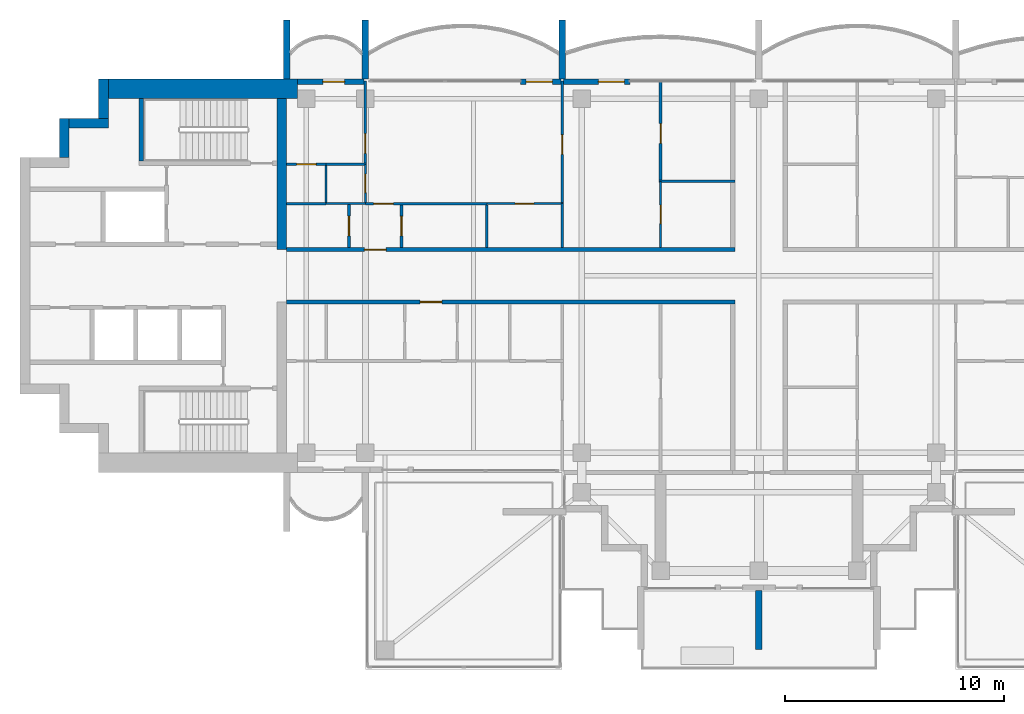
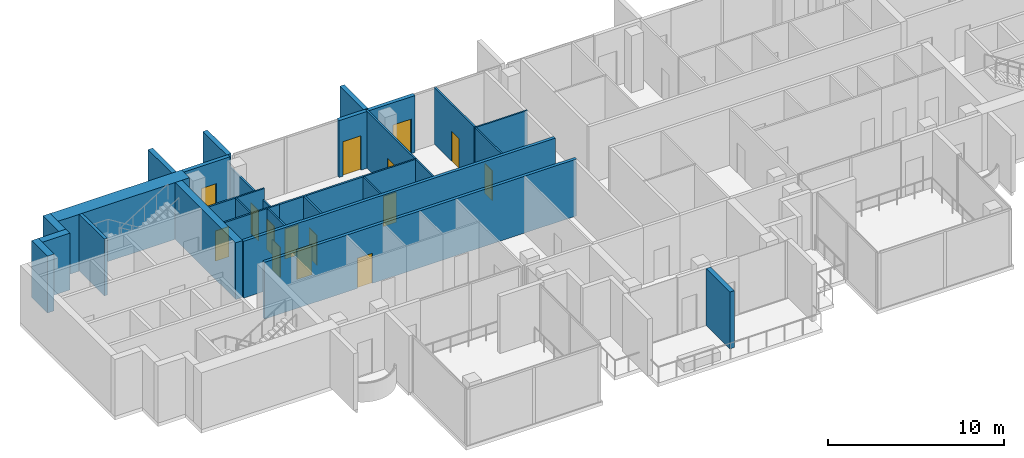
# One storey, part 8 of 16: 32 walls, 15 doors, 15 openings.
"""IFC4 building model written with IfcOpenShell, lengths in metres."""

from ifc_helpers import new_model, si_unit, direction, frame, frame_2d, origin, place, context, subcontext, project, spatial, rectangle, extrude, material, layer, layer_set, type_object, element, fill, save


model = new_model("IFC4")

# Units and contexts
model_context = context("Model", 3, precision=1e-05, world=origin(), true_north=direction((0.0, 1.0)))
body_context = subcontext(model_context, "Body", "Model", "MODEL_VIEW")
ifc_project = project(units=[si_unit("LENGTHUNIT", "METRE"), si_unit("AREAUNIT", "SQUARE_METRE"), si_unit("VOLUMEUNIT", "CUBIC_METRE"), si_unit("PLANEANGLEUNIT", "RADIAN"), si_unit("MASSUNIT", "GRAM", prefix="KILO")], contexts=[model_context])

# Site, building, storey
site_placement = place(None, origin())
site = spatial("IfcSite", under=ifc_project, at=site_placement, CompositionType="ELEMENT")
building_placement = place(site_placement, origin())
building = spatial("IfcBuilding", under=site, at=building_placement, Name="Perihelion Cross Residences", CompositionType="ELEMENT")
storey_placement = place(building_placement, frame((0.0, 0.0, 290.39990234375)))
storey = spatial("IfcBuildingStorey", under=building, at=storey_placement, Name="L74", CompositionType="ELEMENT", Elevation=290.39990234375)

# Wall, opening, door
ifc_material_1 = material(Name="Plasterboard partition")
ifc_layer_1 = layer(ifc_material_1, 0.199951171875)
ifc_layer_set_1 = layer_set([ifc_layer_1], Name="Apartment separation wall 200")
wall_type_1 = type_object("IfcWallType", Name="Apartment separation wall 200", PredefinedType="PARTITIONING", material=ifc_layer_set_1)
wall_1_placement = place(storey_placement, frame((-21.60009765625, 1.199951171875, 0.0), z_axis=(0.0, 0.0, 1.0), x_axis=(1.0, 0.0, 0.0)))
wall_1 = element("IfcWall", 1, at=wall_1_placement, inside=storey, type_object=wall_type_1, Name="Partition L74 W005", PredefinedType="PARTITIONING", context=body_context, shape_type="SweptSolid", body=[
    extrude(rectangle(XDim=20.5, YDim=0.199951171875, at=frame_2d((10.25, 0.0))), origin(), (0.0, 0.0, 1.0), 3.9501953125),
])
opening_1_placement = place(wall_1_placement, frame((3.550048828125, 0.0, 0.0)))
opening_1 = element("IfcOpeningElement", 2, at=opening_1_placement, cuts=wall_1, Name="Opening L74.A37", PredefinedType="OPENING", context=body_context, shape_type="SweptSolid", body=[
    extrude(rectangle(XDim=1.0, YDim=2.10009765625, at=frame_2d((0.5, 1.050048828125))), frame((0.0, 0.10986328125, 0.0), z_axis=(0.0, -1.0, 0.0), x_axis=(1.0, 0.0, 0.0)), (0.0, 0.0, 1.0), 0.219970703125),
])
ifc_material_2 = material(Name="Timber door leaf", Category="wood")
door_type_1 = type_object("IfcDoorType", Name="Flat entrance door 1000 x 2100", OperationType="SINGLE_SWING_LEFT", PredefinedType="DOOR", material=ifc_material_2)
door_1_placement = place(opening_1_placement, origin())
door_1 = element("IfcDoor", 3, at=door_1_placement, inside=storey, type_object=door_type_1, Name="Door L74.A37", OperationType="SINGLE_SWING_LEFT", OverallHeight=2.10009765625, OverallWidth=1.0, PredefinedType="DOOR", context=body_context, shape_type="SweptSolid", body=[
    extrude(rectangle(XDim=1.0, YDim=2.10009765625, at=frame_2d((0.5, 1.050048828125))), frame((0.0, 0.02490234375, 0.0), z_axis=(0.0, -1.0, 0.0), x_axis=(1.0, 0.0, 0.0)), (0.0, 0.0, 1.0), 0.050048828125),
])
fill(opening_1, door_1)

wall_2_placement = place(storey_placement, frame((-1.10009765625, -1.199951171875, 0.0), z_axis=(0.0, 0.0, 1.0), x_axis=(-1.0, 0.0, 0.0)))
wall_2 = element("IfcWall", 4, at=wall_2_placement, inside=storey, type_object=wall_type_1, Name="Partition L74 W007", PredefinedType="PARTITIONING", context=body_context, shape_type="SweptSolid", body=[
    extrude(rectangle(XDim=20.5, YDim=0.199951171875, at=frame_2d((10.25, 0.0))), origin(), (0.0, 0.0, 1.0), 3.9501953125),
])
opening_2_placement = place(wall_2_placement, frame((13.39990234375, 0.0, 0.0)))
opening_2 = element("IfcOpeningElement", 5, at=opening_2_placement, cuts=wall_2, Name="Opening L74.A38", PredefinedType="OPENING", context=body_context, shape_type="SweptSolid", body=[
    extrude(rectangle(XDim=1.0, YDim=2.10009765625, at=frame_2d((0.5, 1.050048828125))), frame((0.0, 0.10986328125, 0.0), z_axis=(0.0, -1.0, 0.0), x_axis=(1.0, 0.0, 0.0)), (0.0, 0.0, 1.0), 0.219970703125),
])
door_2_placement = place(opening_2_placement, origin())
door_2 = element("IfcDoor", 6, at=door_2_placement, inside=storey, type_object=door_type_1, Name="Door L74.A38", OperationType="SINGLE_SWING_RIGHT", OverallHeight=2.10009765625, OverallWidth=1.0, PredefinedType="DOOR", context=body_context, shape_type="SweptSolid", body=[
    extrude(rectangle(XDim=1.0, YDim=2.10009765625, at=frame_2d((0.5, 1.050048828125))), frame((0.0, 0.02490234375, 0.0), z_axis=(0.0, -1.0, 0.0), x_axis=(1.0, 0.0, 0.0)), (0.0, 0.0, 1.0), 0.050048828125),
])
fill(opening_2, door_2)

ifc_material_3 = material(Name="Concrete C30/37, bronze-clad", Category="concrete")
ifc_layer_2 = layer(ifc_material_3, 0.25)
ifc_layer_set_2 = layer_set([ifc_layer_2], Name="Bronze-clad pier wall 250")
wall_type_2 = type_object("IfcWallType", Name="Bronze-clad pier wall 250", PredefinedType="SOLIDWALL", material=ifc_layer_set_2)
wall_3_placement = place(storey_placement, frame((-5.89990234375, 8.875, 0.0), z_axis=(0.0, 0.0, 1.0), x_axis=(-1.0, 0.0, 0.0)))
wall_3 = element("IfcWall", 7, at=wall_3_placement, inside=storey, type_object=wall_type_2, Name="Wall FW1 L74 north side east bay 2 pier", PredefinedType="SOLIDWALL", context=body_context, shape_type="SweptSolid", body=[
    extrude(rectangle(XDim=3.0400390625, YDim=0.25, at=frame_2d((1.52001953125, 0.0))), origin(), (0.0, 0.0, 1.0), 3.9501953125),
])
opening_3_placement = place(wall_3_placement, frame((0.25, 0.0, 0.0)))
opening_3 = element("IfcOpeningElement", 8, at=opening_3_placement, cuts=wall_3, Name="Opening L74.E04", PredefinedType="OPENING", context=body_context, shape_type="SweptSolid", body=[
    extrude(rectangle(XDim=1.199951171875, YDim=2.39990234375, at=frame_2d((0.60009765625, 1.199951171875))), frame((0.0, 0.135009765625, 0.0), z_axis=(0.0, -1.0, 0.0), x_axis=(1.0, 0.0, 0.0)), (0.0, 0.0, 1.0), 0.27001953125),
])
ifc_material_4 = material(Name="Bronze anodised aluminium, glazed", Category="aluminium")
door_type_2 = type_object("IfcDoorType", Name="Balcony door 1200 x 2400", OperationType="NOTDEFINED", PredefinedType="DOOR", material=ifc_material_4)
door_3_placement = place(opening_3_placement, origin())
door_3 = element("IfcDoor", 9, at=door_3_placement, inside=storey, type_object=door_type_2, Name="Door L74.E04 north side east bay 2", OperationType="SINGLE_SWING_RIGHT", OverallHeight=2.39990234375, OverallWidth=1.199951171875, PredefinedType="DOOR", context=body_context, shape_type="SweptSolid", body=[
    extrude(rectangle(XDim=1.199951171875, YDim=2.39990234375, at=frame_2d((0.60009765625, 1.199951171875))), frame((0.0, 0.02490234375, 0.0), z_axis=(0.0, -1.0, 0.0), x_axis=(1.0, 0.0, 0.0)), (0.0, 0.0, 1.0), 0.050048828125),
])
fill(opening_3, door_3)

wall_4_placement = place(storey_placement, frame((-9.06005859375, 8.875, 0.0), z_axis=(0.0, 0.0, 1.0), x_axis=(-1.0, 0.0, 0.0)))
wall_4 = element("IfcWall", 10, at=wall_4_placement, inside=storey, type_object=wall_type_2, Name="Wall FW1 L74 west side north bay 1 pier", PredefinedType="SOLIDWALL", context=body_context, shape_type="SweptSolid", body=[
    extrude(rectangle(XDim=1.83984375, YDim=0.25, at=frame_2d((0.919921875, 0.0))), origin(), (0.0, 0.0, 1.0), 3.9501953125),
])
opening_4_placement = place(wall_4_placement, frame((0.389892578125, 0.0, 0.0)))
opening_4 = element("IfcOpeningElement", 11, at=opening_4_placement, cuts=wall_4, Name="Opening L74.E05", PredefinedType="OPENING", context=body_context, shape_type="SweptSolid", body=[
    extrude(rectangle(XDim=1.199951171875, YDim=2.39990234375, at=frame_2d((0.60009765625, 1.199951171875))), frame((0.0, 0.135009765625, 0.0), z_axis=(0.0, -1.0, 0.0), x_axis=(1.0, 0.0, 0.0)), (0.0, 0.0, 1.0), 0.27001953125),
])
door_4_placement = place(opening_4_placement, origin())
door_4 = element("IfcDoor", 12, at=door_4_placement, inside=storey, type_object=door_type_2, Name="Door L74.E05 west side north bay 1", OperationType="SINGLE_SWING_LEFT", OverallHeight=2.39990234375, OverallWidth=1.199951171875, PredefinedType="DOOR", context=body_context, shape_type="SweptSolid", body=[
    extrude(rectangle(XDim=1.199951171875, YDim=2.39990234375, at=frame_2d((0.60009765625, 1.199951171875))), frame((0.0, 0.02490234375, 0.0), z_axis=(0.0, -1.0, 0.0), x_axis=(1.0, 0.0, 0.0)), (0.0, 0.0, 1.0), 0.050048828125),
])
fill(opening_4, door_4)

wall_5_placement = place(storey_placement, frame((-18.06005859375, 8.875, 0.0), z_axis=(0.0, 0.0, 1.0), x_axis=(-1.0, 0.0, 0.0)))
wall_5 = element("IfcWall", 13, at=wall_5_placement, inside=storey, type_object=wall_type_2, Name="Wall FW1 L74 west side north bay 2 pier", PredefinedType="SOLIDWALL", context=body_context, shape_type="SweptSolid", body=[
    extrude(rectangle(XDim=3.0400390625, YDim=0.25, at=frame_2d((1.52001953125, 0.0))), origin(), (0.0, 0.0, 1.0), 3.9501953125),
])
opening_5_placement = place(wall_5_placement, frame((0.889892578125, 0.0, 0.0)))
opening_5 = element("IfcOpeningElement", 14, at=opening_5_placement, cuts=wall_5, Name="Opening L74.E06", PredefinedType="OPENING", context=body_context, shape_type="SweptSolid", body=[
    extrude(rectangle(XDim=1.0, YDim=2.39990234375, at=frame_2d((0.5, 1.199951171875))), frame((0.0, 0.135009765625, 0.0), z_axis=(0.0, -1.0, 0.0), x_axis=(1.0, 0.0, 0.0)), (0.0, 0.0, 1.0), 0.27001953125),
])
ifc_material_5 = material(Name="Bronze anodised aluminium, glazed", Category="aluminium")
door_type_3 = type_object("IfcDoorType", Name="Balcony door 1000 x 2400", OperationType="NOTDEFINED", PredefinedType="DOOR", material=ifc_material_5)
door_5_placement = place(opening_5_placement, origin())
door_5 = element("IfcDoor", 15, at=door_5_placement, inside=storey, type_object=door_type_3, Name="Door L74.E06 west side north bay 2", OperationType="SINGLE_SWING_RIGHT", OverallHeight=2.39990234375, OverallWidth=1.0, PredefinedType="DOOR", context=body_context, shape_type="SweptSolid", body=[
    extrude(rectangle(XDim=1.0, YDim=2.39990234375, at=frame_2d((0.5, 1.199951171875))), frame((0.0, 0.02490234375, 0.0), z_axis=(0.0, -1.0, 0.0), x_axis=(1.0, 0.0, 0.0)), (0.0, 0.0, 1.0), 0.050048828125),
])
fill(opening_5, door_5)

# Walls
ifc_material_6 = material(Name="Concrete C60/75", Category="concrete")
ifc_layer_3 = layer(ifc_material_6, 0.449951171875)
ifc_layer_set_3 = layer_set([ifc_layer_3], Name="Core wall, inner 450")
wall_type_3 = type_object("IfcWallType", Name="Core wall, inner 450", PredefinedType="SHEAR", material=ifc_layer_set_3)
wall_6_placement = place(storey_placement, frame((-21.824951171875, 1.199951171875, 0.0), z_axis=(0.0, 0.0, 1.0), x_axis=(0.0, 1.0, 0.0)))
element("IfcWall", 16, at=wall_6_placement, inside=storey, type_object=wall_type_3, Name="West core core wall, inner", PredefinedType="SHEAR", context=body_context, shape_type="SweptSolid", body=[
    extrude(rectangle(XDim=6.900146484375, YDim=0.449951171875, at=frame_2d((3.4501953125, 0.0))), origin(), (0.0, 0.0, 1.0), 3.9501953125),
])
ifc_material_7 = material(Name="Concrete C60/75", Category="concrete")
ifc_layer_4 = layer(ifc_material_7, 0.449951171875)
ifc_layer_set_4 = layer_set([ifc_layer_4], Name="Core wall, outer 450")
wall_type_4 = type_object("IfcWallType", Name="Core wall, outer 450", PredefinedType="SHEAR", material=ifc_layer_set_4)
for number, where, z_axis, x_axis, name in (
    (17, (-31.77490234375, 5.39990234375, 0.0), (0.0, 0.0, 1.0), (0.0, 1.0, 0.0), "West core core wall, outer"),
    (18, (-31.550048828125, 6.97509765625, 0.0), (0.0, 0.0, 1.0), (1.0, 0.0, 0.0), "West core core wall, outer"),
    (19, (-29.97509765625, 7.199951171875, 0.0), (0.0, 0.0, 1.0), (0.0, 1.0, 0.0), "West core core wall, outer"),
):
    element("IfcWall", number, at=place(storey_placement, frame(where, z_axis=z_axis, x_axis=x_axis)), inside=storey, type_object=wall_type_4, Name=name, PredefinedType="SHEAR", context=body_context, shape_type="SweptSolid", body=[
        extrude(rectangle(XDim=1.800048828125, YDim=0.449951171875, at=frame_2d((0.89990234375, 0.0))), origin(), (0.0, 0.0, 1.0), 3.9501953125),
    ])
ifc_material_8 = material(Name="Concrete C60/75", Category="concrete")
ifc_layer_5 = layer(ifc_material_8, 0.89990234375)
ifc_layer_set_5 = layer_set([ifc_layer_5], Name="Core wall, outer 900")
wall_type_5 = type_object("IfcWallType", Name="Core wall, outer 900", PredefinedType="SHEAR", material=ifc_layer_set_5)
wall_7_placement = place(storey_placement, frame((-29.75, 8.550048828125, 0.0), z_axis=(0.0, 0.0, 1.0), x_axis=(1.0, 0.0, 0.0)))
element("IfcWall", 20, at=wall_7_placement, inside=storey, type_object=wall_type_5, Name="West core core wall, outer", PredefinedType="SHEAR", context=body_context, shape_type="SweptSolid", body=[
    extrude(rectangle(XDim=8.64990234375, YDim=0.89990234375, at=frame_2d((4.324951171875, 0.0))), origin(), (0.0, 0.0, 1.0), 3.9501953125),
])

# Wall, opening, door
ifc_material_9 = material(Name="Plasterboard partition")
ifc_layer_6 = layer(ifc_material_9, 0.1201171875)
ifc_layer_set_6 = layer_set([ifc_layer_6], Name="Partition wall 120")
wall_type_6 = type_object("IfcWallType", Name="Partition wall 120", PredefinedType="PARTITIONING", material=ifc_layer_set_6)
wall_8_placement = place(storey_placement, frame((-16.35009765625, 1.300048828125, 0.0), z_axis=(0.0, 0.0, 1.0), x_axis=(0.0, 1.0, 0.0)))
wall_8 = element("IfcWall", 21, at=wall_8_placement, inside=storey, type_object=wall_type_6, Name="Partition L74 W036", PredefinedType="PARTITIONING", context=body_context, shape_type="SweptSolid", body=[
    extrude(rectangle(XDim=1.93994140625, YDim=0.1201171875, at=frame_2d((0.969970703125, 0.0))), origin(), (0.0, 0.0, 1.0), 3.9501953125),
])
opening_6_placement = place(wall_8_placement, frame((0.52001953125, 0.0, 0.0)))
opening_6 = element("IfcOpeningElement", 22, at=opening_6_placement, cuts=wall_8, Name="Opening L74.A18", PredefinedType="OPENING", context=body_context, shape_type="SweptSolid", body=[
    extrude(rectangle(XDim=0.89990234375, YDim=2.10009765625, at=frame_2d((0.449951171875, 1.050048828125))), frame((0.0, 0.070068359375, 0.0), z_axis=(0.0, -1.0, 0.0), x_axis=(1.0, 0.0, 0.0)), (0.0, 0.0, 1.0), 0.14013671875),
])
ifc_material_10 = material(Name="Timber door leaf", Category="wood")
door_type_4 = type_object("IfcDoorType", Name="Interior room door 900 x 2100", OperationType="SINGLE_SWING_LEFT", PredefinedType="DOOR", material=ifc_material_10)
door_6_placement = place(opening_6_placement, origin())
door_6 = element("IfcDoor", 23, at=door_6_placement, inside=storey, type_object=door_type_4, Name="Door L74.A18", OperationType="SINGLE_SWING_RIGHT", OverallHeight=2.10009765625, OverallWidth=0.89990234375, PredefinedType="DOOR", context=body_context, shape_type="SweptSolid", body=[
    extrude(rectangle(XDim=0.89990234375, YDim=2.10009765625, at=frame_2d((0.449951171875, 1.050048828125))), frame((0.0, 0.02490234375, 0.0), z_axis=(0.0, -1.0, 0.0), x_axis=(1.0, 0.0, 0.0)), (0.0, 0.0, 1.0), 0.050048828125),
])
fill(opening_6, door_6)

wall_9_placement = place(storey_placement, frame((-18.0, 3.300048828125, 0.0), z_axis=(0.0, 0.0, 1.0), x_axis=(1.0, 0.0, 0.0)))
wall_9 = element("IfcWall", 24, at=wall_9_placement, inside=storey, type_object=wall_type_6, Name="Partition L74 W037", PredefinedType="PARTITIONING", context=body_context, shape_type="SweptSolid", body=[
    extrude(rectangle(XDim=5.550048828125, YDim=0.1201171875, at=frame_2d((2.77490234375, 0.0))), origin(), (0.0, 0.0, 1.0), 3.9501953125),
])
opening_7_placement = place(wall_9_placement, frame((0.375, 0.0, 0.0)))
opening_7 = element("IfcOpeningElement", 25, at=opening_7_placement, cuts=wall_9, Name="Opening L74.A20", PredefinedType="OPENING", context=body_context, shape_type="SweptSolid", body=[
    extrude(rectangle(XDim=0.89990234375, YDim=2.10009765625, at=frame_2d((0.449951171875, 1.050048828125))), frame((0.0, 0.070068359375, 0.0), z_axis=(0.0, -1.0, 0.0), x_axis=(1.0, 0.0, 0.0)), (0.0, 0.0, 1.0), 0.14013671875),
])
door_7_placement = place(opening_7_placement, origin())
door_7 = element("IfcDoor", 26, at=door_7_placement, inside=storey, type_object=door_type_4, Name="Door L74.A20", OperationType="SINGLE_SWING_LEFT", OverallHeight=2.10009765625, OverallWidth=0.89990234375, PredefinedType="DOOR", context=body_context, shape_type="SweptSolid", body=[
    extrude(rectangle(XDim=0.89990234375, YDim=2.10009765625, at=frame_2d((0.449951171875, 1.050048828125))), frame((0.0, 0.02490234375, 0.0), z_axis=(0.0, -1.0, 0.0), x_axis=(1.0, 0.0, 0.0)), (0.0, 0.0, 1.0), 0.050048828125),
])
fill(opening_7, door_7)

wall_10_placement = place(storey_placement, frame((-18.75, 1.300048828125, 0.0), z_axis=(0.0, 0.0, 1.0), x_axis=(0.0, 1.0, 0.0)))
wall_10 = element("IfcWall", 27, at=wall_10_placement, inside=storey, type_object=wall_type_6, Name="Partition L74 W038", PredefinedType="PARTITIONING", context=body_context, shape_type="SweptSolid", body=[
    extrude(rectangle(XDim=1.949951171875, YDim=0.1201171875, at=frame_2d((0.97509765625, 0.0))), origin(), (0.0, 0.0, 1.0), 3.9501953125),
])
opening_8_placement = place(wall_10_placement, frame((0.52490234375, 0.0, 0.0)))
opening_8 = element("IfcOpeningElement", 28, at=opening_8_placement, cuts=wall_10, Name="Opening L74.A19", PredefinedType="OPENING", context=body_context, shape_type="SweptSolid", body=[
    extrude(rectangle(XDim=0.89990234375, YDim=2.10009765625, at=frame_2d((0.449951171875, 1.050048828125))), frame((0.0, 0.070068359375, 0.0), z_axis=(0.0, -1.0, 0.0), x_axis=(1.0, 0.0, 0.0)), (0.0, 0.0, 1.0), 0.14013671875),
])
door_8_placement = place(opening_8_placement, origin())
door_8 = element("IfcDoor", 29, at=door_8_placement, inside=storey, type_object=door_type_4, Name="Door L74.A19", OperationType="SINGLE_SWING_LEFT", OverallHeight=2.10009765625, OverallWidth=0.89990234375, PredefinedType="DOOR", context=body_context, shape_type="SweptSolid", body=[
    extrude(rectangle(XDim=0.89990234375, YDim=2.10009765625, at=frame_2d((0.449951171875, 1.050048828125))), frame((0.0, 0.02490234375, 0.0), z_axis=(0.0, -1.0, 0.0), x_axis=(1.0, 0.0, 0.0)), (0.0, 0.0, 1.0), 0.050048828125),
])
fill(opening_8, door_8)

# Wall
wall_11_placement = place(storey_placement, frame((-21.60009765625, 3.300048828125, 0.0), z_axis=(0.0, 0.0, 1.0), x_axis=(1.0, 0.0, 0.0)))
element("IfcWall", 30, at=wall_11_placement, inside=storey, type_object=wall_type_6, Name="Partition L74 W040", PredefinedType="PARTITIONING", context=body_context, shape_type="SweptSolid", body=[
    extrude(rectangle(XDim=1.800048828125, YDim=0.1201171875, at=frame_2d((0.89990234375, 0.0))), origin(), (0.0, 0.0, 1.0), 3.9501953125),
])

# Wall, opening, door
wall_12_placement = place(storey_placement, frame((-18.0, 5.10009765625, 0.0), z_axis=(0.0, 0.0, 1.0), x_axis=(0.0, 1.0, 0.0)))
wall_12 = element("IfcWall", 31, at=wall_12_placement, inside=storey, type_object=wall_type_6, Name="Partition L74 W042", PredefinedType="PARTITIONING", context=body_context, shape_type="SweptSolid", body=[
    extrude(rectangle(XDim=3.81982421875, YDim=0.1201171875, at=frame_2d((1.909912109375, 0.0))), origin(), (0.0, 0.0, 1.0), 3.196044921875),
])
opening_9_placement = place(wall_12_placement, frame((0.5, 0.0, 0.0)))
opening_9 = element("IfcOpeningElement", 32, at=opening_9_placement, cuts=wall_12, Name="Opening L74.A22", PredefinedType="OPENING", context=body_context, shape_type="SweptSolid", body=[
    extrude(rectangle(XDim=0.89990234375, YDim=2.10009765625, at=frame_2d((0.449951171875, 1.050048828125))), frame((0.0, 0.070068359375, 0.0), z_axis=(0.0, -1.0, 0.0), x_axis=(1.0, 0.0, 0.0)), (0.0, 0.0, 1.0), 0.14013671875),
])
door_9_placement = place(opening_9_placement, origin())
door_9 = element("IfcDoor", 33, at=door_9_placement, inside=storey, type_object=door_type_4, Name="Door L74.A22", OperationType="SINGLE_SWING_LEFT", OverallHeight=2.10009765625, OverallWidth=0.89990234375, PredefinedType="DOOR", context=body_context, shape_type="SweptSolid", body=[
    extrude(rectangle(XDim=0.89990234375, YDim=2.10009765625, at=frame_2d((0.449951171875, 1.050048828125))), frame((0.0, 0.02490234375, 0.0), z_axis=(0.0, -1.0, 0.0), x_axis=(1.0, 0.0, 0.0)), (0.0, 0.0, 1.0), 0.050048828125),
])
fill(opening_9, door_9)

wall_13_placement = place(storey_placement, frame((-9.0, 8.919921875, 0.0), z_axis=(0.0, 0.0, 1.0), x_axis=(0.0, -1.0, 0.0)))
wall_13 = element("IfcWall", 34, at=wall_13_placement, inside=storey, type_object=wall_type_6, Name="Partition L74 W043", PredefinedType="PARTITIONING", context=body_context, shape_type="SweptSolid", body=[
    extrude(rectangle(XDim=5.619873046875, YDim=0.1201171875, at=frame_2d((2.81005859375, 0.0))), origin(), (0.0, 0.0, 1.0), 3.9501953125),
])
opening_10_placement = place(wall_13_placement, frame((2.469970703125, 0.0, 0.0)))
opening_10 = element("IfcOpeningElement", 35, at=opening_10_placement, cuts=wall_13, Name="Opening L74.A23", PredefinedType="OPENING", context=body_context, shape_type="SweptSolid", body=[
    extrude(rectangle(XDim=0.89990234375, YDim=2.10009765625, at=frame_2d((0.449951171875, 1.050048828125))), frame((0.0, 0.070068359375, 0.0), z_axis=(0.0, -1.0, 0.0), x_axis=(1.0, 0.0, 0.0)), (0.0, 0.0, 1.0), 0.14013671875),
])
door_10_placement = place(opening_10_placement, origin())
door_10 = element("IfcDoor", 36, at=door_10_placement, inside=storey, type_object=door_type_4, Name="Door L74.A23", OperationType="SINGLE_SWING_LEFT", OverallHeight=2.10009765625, OverallWidth=0.89990234375, PredefinedType="DOOR", context=body_context, shape_type="SweptSolid", body=[
    extrude(rectangle(XDim=0.89990234375, YDim=2.10009765625, at=frame_2d((0.449951171875, 1.050048828125))), frame((0.0, 0.02490234375, 0.0), z_axis=(0.0, -1.0, 0.0), x_axis=(1.0, 0.0, 0.0)), (0.0, 0.0, 1.0), 0.050048828125),
])
fill(opening_10, door_10)

wall_14_placement = place(storey_placement, frame((-21.60009765625, 5.10009765625, 0.0), z_axis=(0.0, 0.0, 1.0), x_axis=(1.0, 0.0, 0.0)))
wall_14 = element("IfcWall", 37, at=wall_14_placement, inside=storey, type_object=wall_type_6, Name="Partition L74 W046", PredefinedType="PARTITIONING", context=body_context, shape_type="SweptSolid", body=[
    extrude(rectangle(XDim=1.800048828125, YDim=0.1201171875, at=frame_2d((0.89990234375, 0.0))), origin(), (0.0, 0.0, 1.0), 3.9501953125),
])
opening_11_placement = place(wall_14_placement, frame((0.449951171875, 0.0, 0.0)))
opening_11 = element("IfcOpeningElement", 38, at=opening_11_placement, cuts=wall_14, Name="Opening L74.A17", PredefinedType="OPENING", context=body_context, shape_type="SweptSolid", body=[
    extrude(rectangle(XDim=0.89990234375, YDim=2.10009765625, at=frame_2d((0.449951171875, 1.050048828125))), frame((0.0, 0.070068359375, 0.0), z_axis=(0.0, -1.0, 0.0), x_axis=(1.0, 0.0, 0.0)), (0.0, 0.0, 1.0), 0.14013671875),
])
door_11_placement = place(opening_11_placement, origin())
door_11 = element("IfcDoor", 39, at=door_11_placement, inside=storey, type_object=door_type_4, Name="Door L74.A17", OperationType="SINGLE_SWING_RIGHT", OverallHeight=2.10009765625, OverallWidth=0.89990234375, PredefinedType="DOOR", context=body_context, shape_type="SweptSolid", body=[
    extrude(rectangle(XDim=0.89990234375, YDim=2.10009765625, at=frame_2d((0.449951171875, 1.050048828125))), frame((0.0, 0.02490234375, 0.0), z_axis=(0.0, -1.0, 0.0), x_axis=(1.0, 0.0, 0.0)), (0.0, 0.0, 1.0), 0.050048828125),
])
fill(opening_11, door_11)

wall_15_placement = place(storey_placement, frame((-4.5, 8.919921875, 0.0), z_axis=(0.0, 0.0, 1.0), x_axis=(0.0, -1.0, 0.0)))
wall_15 = element("IfcWall", 40, at=wall_15_placement, inside=storey, type_object=wall_type_6, Name="Partition L74 W048", PredefinedType="PARTITIONING", context=body_context, shape_type="SweptSolid", body=[
    extrude(rectangle(XDim=4.599853515625, YDim=0.1201171875, at=frame_2d((2.2998046875, 0.0))), origin(), (0.0, 0.0, 1.0), 3.9501953125),
])
opening_12_placement = place(wall_15_placement, frame((1.9599609375, 0.0, 0.0)))
opening_12 = element("IfcOpeningElement", 41, at=opening_12_placement, cuts=wall_15, Name="Opening L74.A24", PredefinedType="OPENING", context=body_context, shape_type="SweptSolid", body=[
    extrude(rectangle(XDim=0.89990234375, YDim=2.10009765625, at=frame_2d((0.449951171875, 1.050048828125))), frame((0.0, 0.070068359375, 0.0), z_axis=(0.0, -1.0, 0.0), x_axis=(1.0, 0.0, 0.0)), (0.0, 0.0, 1.0), 0.14013671875),
])
door_12_placement = place(opening_12_placement, origin())
door_12 = element("IfcDoor", 42, at=door_12_placement, inside=storey, type_object=door_type_4, Name="Door L74.A24", OperationType="SINGLE_SWING_RIGHT", OverallHeight=2.10009765625, OverallWidth=0.89990234375, PredefinedType="DOOR", context=body_context, shape_type="SweptSolid", body=[
    extrude(rectangle(XDim=0.89990234375, YDim=2.10009765625, at=frame_2d((0.449951171875, 1.050048828125))), frame((0.0, 0.02490234375, 0.0), z_axis=(0.0, -1.0, 0.0), x_axis=(1.0, 0.0, 0.0)), (0.0, 0.0, 1.0), 0.050048828125),
])
fill(opening_12, door_12)

# Walls
ifc_material_11 = material(Name="Precast concrete C50/60", Category="concrete")
ifc_layer_7 = layer(ifc_material_11, 0.300048828125)
ifc_layer_set_7 = layer_set([ifc_layer_7], Name="Precast concrete C50/60 blade wall 300")
wall_type_7 = type_object("IfcWallType", Name="Precast concrete C50/60 blade wall 300", PredefinedType="SOLIDWALL", material=ifc_layer_set_7)
for number, where, z_axis, x_axis, name in (
    (43, (-21.60009765625, 9.0, 0.0), (0.0, 0.0, 1.0), (0.0, 1.0, 0.0), "Wall BL1 L74 no. 4"),
    (44, (-18.0, 9.0, 0.0), (0.0, 0.0, 1.0), (0.0, 1.0, 0.0), "Wall BL1 L74 no. 2"),
    (45, (-9.0, 9.0, 0.0), (0.0, 0.0, 1.0), (0.0, 1.0, 0.0), "Wall BL1 L74 no. 7"),
):
    element("IfcWall", number, at=place(storey_placement, frame(where, z_axis=z_axis, x_axis=x_axis)), inside=storey, type_object=wall_type_7, Name=name, PredefinedType="SOLIDWALL", context=body_context, shape_type="SweptSolid", body=[
        extrude(rectangle(XDim=2.699951171875, YDim=0.300048828125, at=frame_2d((1.35009765625, 0.0))), origin(), (0.0, 0.0, 1.0), 3.9501953125),
    ])
wall_16_placement = place(storey_placement, frame((0.0, -14.39990234375, 0.0), z_axis=(0.0, 0.0, 1.0), x_axis=(0.0, -1.0, 0.0)))
element("IfcWall", 46, at=wall_16_placement, inside=storey, type_object=wall_type_7, Name="Wall BL1 L74 no. 8", PredefinedType="SOLIDWALL", context=body_context, shape_type="SweptSolid", body=[
    extrude(rectangle(XDim=2.7001953125, YDim=0.300048828125, at=frame_2d((1.35009765625, 0.0))), origin(), (0.0, 0.0, 1.0), 3.9501953125),
])
ifc_material_12 = material(Name="Concrete C50/60", Category="concrete")
ifc_layer_8 = layer(ifc_material_12, 0.199951171875)
ifc_layer_set_8 = layer_set([ifc_layer_8], Name="Stair wall 200")
wall_type_8 = type_object("IfcWallType", Name="Stair wall 200", PredefinedType="SOLIDWALL", material=ifc_layer_set_8)
wall_17_placement = place(storey_placement, frame((-28.25, 5.25, 0.0), z_axis=(0.0, 0.0, 1.0), x_axis=(0.0, 1.0, 0.0)))
element("IfcWall", 47, at=wall_17_placement, inside=storey, type_object=wall_type_8, Name="West core stair wall", PredefinedType="SOLIDWALL", context=body_context, shape_type="SweptSolid", body=[
    extrude(rectangle(XDim=2.85009765625, YDim=0.199951171875, at=frame_2d((1.425048828125, 0.0))), origin(), (0.0, 0.0, 1.0), 3.9501953125),
])
ifc_material_13 = material(Name="Plasterboard partition")
ifc_layer_9 = layer(ifc_material_13, 0.10009765625)
ifc_layer_set_9 = layer_set([ifc_layer_9], Name="Wet room wall 100")
wall_type_9 = type_object("IfcWallType", Name="Wet room wall 100", PredefinedType="PARTITIONING", material=ifc_layer_set_9)
wall_18_placement = place(storey_placement, frame((-12.449951171875, 1.300048828125, 0.0), z_axis=(0.0, 0.0, 1.0), x_axis=(0.0, 1.0, 0.0)))
element("IfcWall", 48, at=wall_18_placement, inside=storey, type_object=wall_type_9, Name="Partition L74 W033", PredefinedType="PARTITIONING", context=body_context, shape_type="SweptSolid", body=[
    extrude(rectangle(XDim=1.93994140625, YDim=0.10009765625, at=frame_2d((0.969970703125, 0.0))), origin(), (0.0, 0.0, 1.0), 3.9501953125),
])

# Wall, opening, door
wall_19_placement = place(storey_placement, frame((-12.449951171875, 3.300048828125, 0.0), z_axis=(0.0, 0.0, 1.0), x_axis=(1.0, 0.0, 0.0)))
wall_19 = element("IfcWall", 49, at=wall_19_placement, inside=storey, type_object=wall_type_9, Name="Partition L74 W034", PredefinedType="PARTITIONING", context=body_context, shape_type="SweptSolid", body=[
    extrude(rectangle(XDim=3.510009765625, YDim=0.10009765625, at=frame_2d((1.7548828125, 0.0))), origin(), (0.0, 0.0, 1.0), 3.9501953125),
])
opening_13_placement = place(wall_19_placement, frame((1.300048828125, 0.0, 0.0)))
opening_13 = element("IfcOpeningElement", 50, at=opening_13_placement, cuts=wall_19, Name="Opening L74.A26", PredefinedType="OPENING", context=body_context, shape_type="SweptSolid", body=[
    extrude(rectangle(XDim=0.85009765625, YDim=2.10009765625, at=frame_2d((0.425048828125, 1.050048828125))), frame((0.0, 0.06005859375, 0.0), z_axis=(0.0, -1.0, 0.0), x_axis=(1.0, 0.0, 0.0)), (0.0, 0.0, 1.0), 0.1201171875),
])
ifc_material_14 = material(Name="Timber door leaf", Category="wood")
door_type_5 = type_object("IfcDoorType", Name="Interior bathroom door 850 x 2100", OperationType="SINGLE_SWING_LEFT", PredefinedType="DOOR", material=ifc_material_14)
door_13_placement = place(opening_13_placement, origin())
door_13 = element("IfcDoor", 51, at=door_13_placement, inside=storey, type_object=door_type_5, Name="Door L74.A26", OperationType="SINGLE_SWING_RIGHT", OverallHeight=2.10009765625, OverallWidth=0.85009765625, PredefinedType="DOOR", context=body_context, shape_type="SweptSolid", body=[
    extrude(rectangle(XDim=0.85009765625, YDim=2.10009765625, at=frame_2d((0.425048828125, 1.050048828125))), frame((0.0, 0.02490234375, 0.0), z_axis=(0.0, -1.0, 0.0), x_axis=(1.0, 0.0, 0.0)), (0.0, 0.0, 1.0), 0.050048828125),
])
fill(opening_13, door_13)

# Walls
wall_20_placement = place(storey_placement, frame((-9.0, 3.300048828125, 0.0), z_axis=(0.0, 0.0, 1.0), x_axis=(0.0, -1.0, 0.0)))
element("IfcWall", 52, at=wall_20_placement, inside=storey, type_object=wall_type_9, Name="Partition L74 W035", PredefinedType="PARTITIONING", context=body_context, shape_type="SweptSolid", body=[
    extrude(rectangle(XDim=2.0, YDim=0.10009765625, at=frame_2d((1.0, 0.0))), origin(), (0.0, 0.0, 1.0), 3.9501953125),
])
wall_21_placement = place(storey_placement, frame((-19.800048828125, 3.300048828125, 0.0), z_axis=(0.0, 0.0, 1.0), x_axis=(1.0, 0.0, 0.0)))
element("IfcWall", 53, at=wall_21_placement, inside=storey, type_object=wall_type_9, Name="Partition L74 W039", PredefinedType="PARTITIONING", context=body_context, shape_type="SweptSolid", body=[
    extrude(rectangle(XDim=1.800048828125, YDim=0.10009765625, at=frame_2d((0.89990234375, 0.0))), origin(), (0.0, 0.0, 1.0), 3.9501953125),
])

# Wall, opening, door
wall_22_placement = place(storey_placement, frame((-18.0, 3.360107421875, 0.0), z_axis=(0.0, 0.0, 1.0), x_axis=(0.0, 1.0, 0.0)))
wall_22 = element("IfcWall", 54, at=wall_22_placement, inside=storey, type_object=wall_type_9, Name="Partition L74 W041", PredefinedType="PARTITIONING", context=body_context, shape_type="SweptSolid", body=[
    extrude(rectangle(XDim=1.739990234375, YDim=0.10009765625, at=frame_2d((0.8701171875, 0.0))), origin(), (0.0, 0.0, 1.0), 3.196044921875),
])
opening_14_placement = place(wall_22_placement, frame((0.445068359375, 0.0, 0.0)))
opening_14 = element("IfcOpeningElement", 55, at=opening_14_placement, cuts=wall_22, Name="Opening L74.A21", PredefinedType="OPENING", context=body_context, shape_type="SweptSolid", body=[
    extrude(rectangle(XDim=0.85009765625, YDim=2.10009765625, at=frame_2d((0.425048828125, 1.050048828125))), frame((0.0, 0.06005859375, 0.0), z_axis=(0.0, -1.0, 0.0), x_axis=(1.0, 0.0, 0.0)), (0.0, 0.0, 1.0), 0.1201171875),
])
door_14_placement = place(opening_14_placement, origin())
door_14 = element("IfcDoor", 56, at=door_14_placement, inside=storey, type_object=door_type_5, Name="Door L74.A21", OperationType="SINGLE_SWING_RIGHT", OverallHeight=2.10009765625, OverallWidth=0.85009765625, PredefinedType="DOOR", context=body_context, shape_type="SweptSolid", body=[
    extrude(rectangle(XDim=0.85009765625, YDim=2.10009765625, at=frame_2d((0.425048828125, 1.050048828125))), frame((0.0, 0.02490234375, 0.0), z_axis=(0.0, -1.0, 0.0), x_axis=(1.0, 0.0, 0.0)), (0.0, 0.0, 1.0), 0.050048828125),
])
fill(opening_14, door_14)

# Walls
wall_23_placement = place(storey_placement, frame((-19.800048828125, 3.360107421875, 0.0), z_axis=(0.0, 0.0, 1.0), x_axis=(0.0, 1.0, 0.0)))
element("IfcWall", 57, at=wall_23_placement, inside=storey, type_object=wall_type_9, Name="Partition L74 W044", PredefinedType="PARTITIONING", context=body_context, shape_type="SweptSolid", body=[
    extrude(rectangle(XDim=1.679931640625, YDim=0.10009765625, at=frame_2d((0.83984375, 0.0))), origin(), (0.0, 0.0, 1.0), 3.9501953125),
])
wall_24_placement = place(storey_placement, frame((-19.800048828125, 5.10009765625, 0.0), z_axis=(0.0, 0.0, 1.0), x_axis=(1.0, 0.0, 0.0)))
element("IfcWall", 58, at=wall_24_placement, inside=storey, type_object=wall_type_9, Name="Partition L74 W045", PredefinedType="PARTITIONING", context=body_context, shape_type="SweptSolid", body=[
    extrude(rectangle(XDim=1.860107421875, YDim=0.10009765625, at=frame_2d((0.93017578125, 0.0))), origin(), (0.0, 0.0, 1.0), 3.9501953125),
])

# Wall, opening, door
wall_25_placement = place(storey_placement, frame((-4.5, 4.320068359375, 0.0), z_axis=(0.0, 0.0, 1.0), x_axis=(0.0, -1.0, 0.0)))
wall_25 = element("IfcWall", 59, at=wall_25_placement, inside=storey, type_object=wall_type_9, Name="Partition L74 W047", PredefinedType="PARTITIONING", context=body_context, shape_type="SweptSolid", body=[
    extrude(rectangle(XDim=3.02001953125, YDim=0.10009765625, at=frame_2d((1.510009765625, 0.0))), origin(), (0.0, 0.0, 1.0), 3.9501953125),
])
opening_15_placement = place(wall_25_placement, frame((1.0849609375, 0.0, 0.0)))
opening_15 = element("IfcOpeningElement", 60, at=opening_15_placement, cuts=wall_25, Name="Opening L74.A25", PredefinedType="OPENING", context=body_context, shape_type="SweptSolid", body=[
    extrude(rectangle(XDim=0.85009765625, YDim=2.10009765625, at=frame_2d((0.425048828125, 1.050048828125))), frame((0.0, 0.06005859375, 0.0), z_axis=(0.0, -1.0, 0.0), x_axis=(1.0, 0.0, 0.0)), (0.0, 0.0, 1.0), 0.1201171875),
])
door_15_placement = place(opening_15_placement, origin())
door_15 = element("IfcDoor", 61, at=door_15_placement, inside=storey, type_object=door_type_5, Name="Door L74.A25", OperationType="SINGLE_SWING_LEFT", OverallHeight=2.10009765625, OverallWidth=0.85009765625, PredefinedType="DOOR", context=body_context, shape_type="SweptSolid", body=[
    extrude(rectangle(XDim=0.85009765625, YDim=2.10009765625, at=frame_2d((0.425048828125, 1.050048828125))), frame((0.0, 0.02490234375, 0.0), z_axis=(0.0, -1.0, 0.0), x_axis=(1.0, 0.0, 0.0)), (0.0, 0.0, 1.0), 0.050048828125),
])
fill(opening_15, door_15)

# Wall
wall_26_placement = place(storey_placement, frame((-4.56005859375, 4.320068359375, 0.0), z_axis=(0.0, 0.0, 1.0), x_axis=(1.0, 0.0, 0.0)))
element("IfcWall", 62, at=wall_26_placement, inside=storey, type_object=wall_type_9, Name="Partition L74 W049", PredefinedType="PARTITIONING", context=body_context, shape_type="SweptSolid", body=[
    extrude(rectangle(XDim=3.4599609375, YDim=0.10009765625, at=frame_2d((1.72998046875, 0.0))), origin(), (0.0, 0.0, 1.0), 3.9501953125),
])

save(model, "model.ifc")
